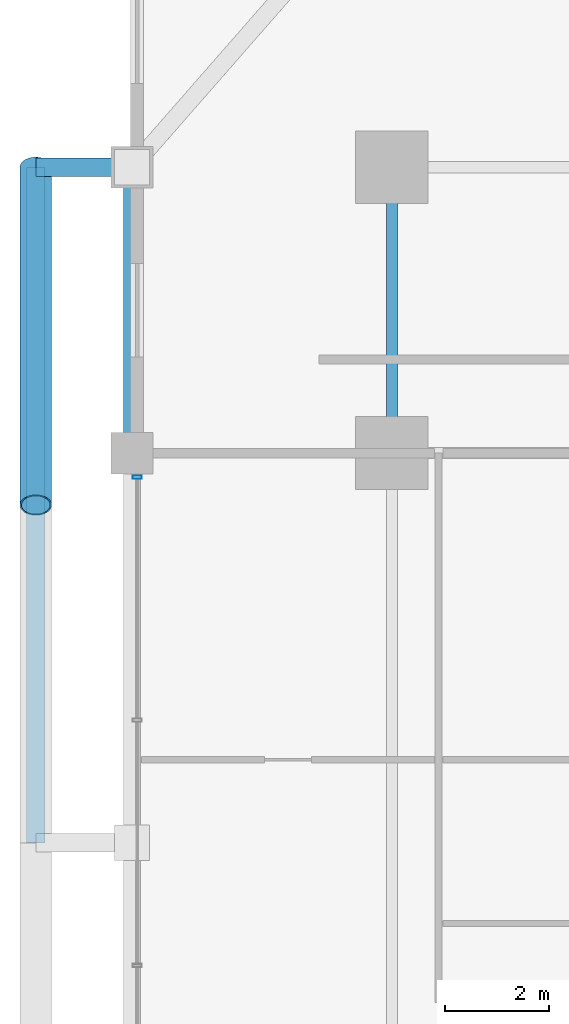
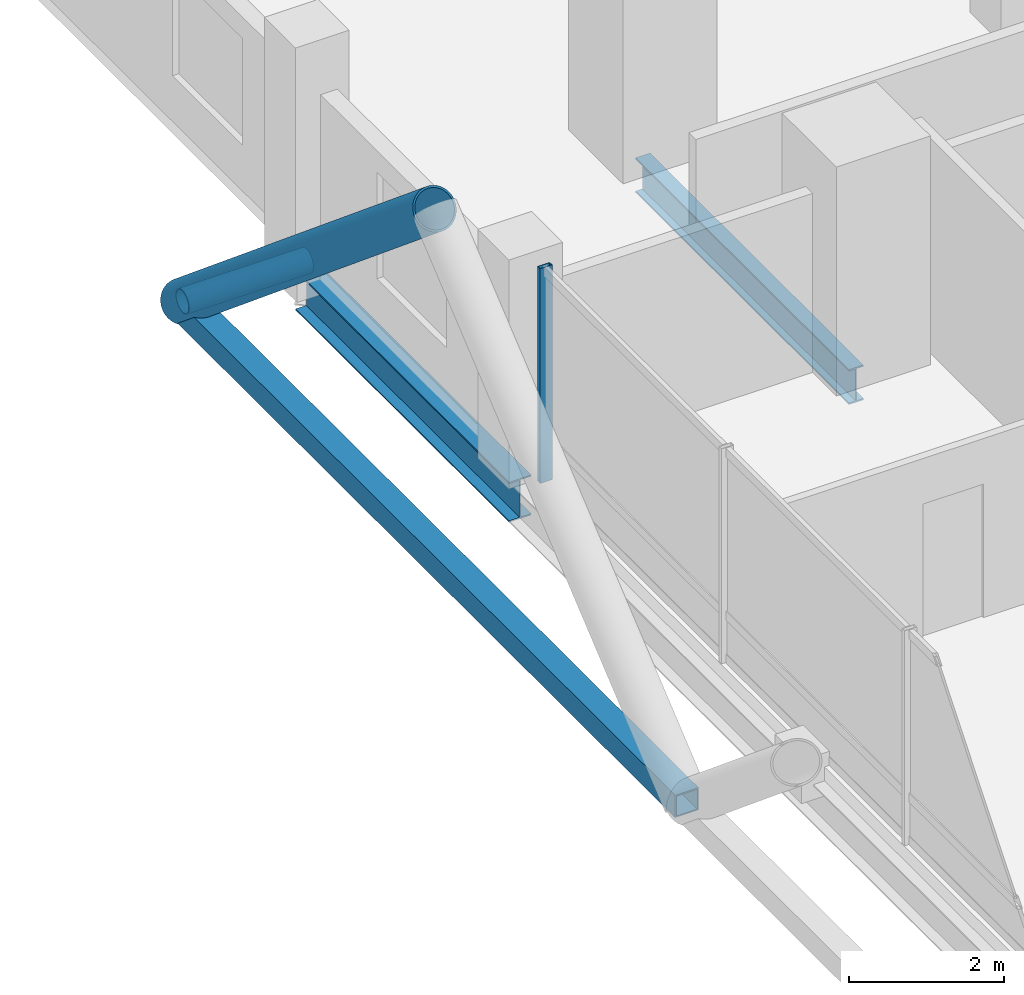
# One storey, part 13 of 27: 4 members, 2 beams, 1 element without a shape of its own.
"""IFC4 building model written with IfcOpenShell, lengths in metres."""

from ifc_helpers import new_model, si_unit, direction, frame, origin, origin_2d, place, context, subcontext, project, spatial, hollow_rectangle, hollow_circle, i_section, extrude, material, layer, layer_set, material_profile, profile_set, type_object, element, aggregate, save


model = new_model("IFC4")

# Units and contexts
model_context = context("Model", 3, precision=1e-05, world=origin(), true_north=direction((0.0, 1.0)))
body_context = subcontext(model_context, "Body", "Model", "MODEL_VIEW")
ifc_project = project(units=[si_unit("LENGTHUNIT", "METRE"), si_unit("AREAUNIT", "SQUARE_METRE"), si_unit("VOLUMEUNIT", "CUBIC_METRE"), si_unit("PLANEANGLEUNIT", "RADIAN"), si_unit("MASSUNIT", "GRAM", prefix="KILO")], contexts=[model_context])

# Site, building, storey
site_placement = place(None, origin())
site = spatial("IfcSite", under=ifc_project, at=site_placement, CompositionType="ELEMENT")
building_placement = place(site_placement, origin())
building = spatial("IfcBuilding", under=site, at=building_placement, Name="Barlavira Tower and Art Museum", CompositionType="ELEMENT")
storey_placement = place(building_placement, frame((0.0, 0.0, 72.0)))
storey = spatial("IfcBuildingStorey", under=building, at=storey_placement, Name="L17", CompositionType="ELEMENT", Elevation=72.0)

# Curtain wall, member
ifc_material_1 = material(Name="Low-iron coastal laminated glass", Category="glass")
ifc_layer = layer(ifc_material_1, 0.179931640625, Name="Low-iron coastal laminated glass")
ifc_layer_set = layer_set([ifc_layer], Name="Low-iron coastal laminated glass")
curtain_wall_type = type_object("IfcCurtainWallType", Name="Pale-Metal Unitised Curtain Wall Zone 1", PredefinedType="NOTDEFINED", material=ifc_layer_set)
curtain_wall_placement = place(storey_placement, origin())
curtain_wall = element("IfcCurtainWall", 1, at=curtain_wall_placement, inside=storey, type_object=curtain_wall_type, Name="L17 Curtain Wall CW1-L17-W-B3", PredefinedType="NOTDEFINED")
ifc_material_2 = material(Name="Pale anodised aluminium", Category="aluminium")
ifc_material_profile_1 = material_profile(ifc_material_2, hollow_rectangle(XDim=0.06494140625, YDim=0.179931640625, WallThickness=0.00390625, at=origin_2d()), Name="ALU-MULL 65x180x4")
ifc_profile_set_1 = profile_set([ifc_material_profile_1], Name="Pale anodised aluminium")
member_type_1 = type_object("IfcMemberType", Name="Curtain Wall Pale-Metal Mullion 65x180", PredefinedType="MULLION", material=ifc_profile_set_1)
member_1_placement = place(storey_placement, frame((-21.89990234375, 7.034912109375, 0.0), z_axis=(0.0, 0.0, 1.0), x_axis=(0.0, -1.0, 0.0)))
member_1 = element("IfcMember", 2, at=member_1_placement, type_object=member_type_1, Name="CW1-L17-W-B3 Mullion 0", PredefinedType="MULLION", context=body_context, shape_type="SweptSolid", body=[
    extrude(hollow_rectangle(XDim=0.06494140625, YDim=0.179931640625, WallThickness=0.00390625, at=origin_2d()), origin(), (0.0, 0.0, 1.0), 3.3798828125),
])
aggregate(curtain_wall, [member_1])

# Members
ifc_material_3 = material(Name="Steel S355", Category="steel")
ifc_material_profile_2 = material_profile(ifc_material_3, hollow_circle(Radius=0.304931640625, WallThickness=0.028076171875, at=origin_2d()), Name="CHS 610.0x28.0")
ifc_profile_set_2 = profile_set([ifc_material_profile_2], Name="Steel S355")
member_type_2 = type_object("IfcMemberType", Name="Pale-Metal Exoskeleton Diagrid Tube CHS 610x28 Steel S355", PredefinedType="BRACE", material=ifc_profile_set_2)
member_2_placement = place(storey_placement, frame((-23.85009765625, 13.0, -0.1201171875), z_axis=(0.0, -0.76918185268, 0.639029950399), x_axis=(1.0, 0.0, 0.0)))
element("IfcMember", 3, at=member_2_placement, inside=storey, type_object=member_type_2, Name="L17 Exoskeleton Diagrid Tube W", PredefinedType="BRACE", context=body_context, shape_type="SweptSolid", body=[
    extrude(hollow_circle(Radius=0.304931640625, WallThickness=0.028076171875, at=origin_2d()), origin(), (0.0, 0.0, 1.0), 8.450439453125),
])
ifc_material_profile_3 = material_profile(ifc_material_3, hollow_rectangle(XDim=0.35009765625, YDim=0.35009765625, WallThickness=0.02001953125, at=origin_2d()), Name="SHS 350x350x20.0")
ifc_profile_set_3 = profile_set([ifc_material_profile_3], Name="Steel S355")
member_type_3 = type_object("IfcMemberType", Name="Pale-Metal Exoskeleton Ring Strut SHS 350x350x20 Steel S355", PredefinedType="STRUT", material=ifc_profile_set_3)
member_3_placement = place(storey_placement, frame((-23.85009765625, 0.0, -0.1201171875), z_axis=(0.0, 1.0, 0.0), x_axis=(-1.0, 0.0, 0.0)))
element("IfcMember", 4, at=member_3_placement, inside=storey, type_object=member_type_3, Name="L17 Exoskeleton Ring Strut W", PredefinedType="STRUT", context=body_context, shape_type="SweptSolid", body=[
    extrude(hollow_rectangle(XDim=0.35009765625, YDim=0.35009765625, WallThickness=0.02001953125, at=origin_2d()), origin(), (0.0, 0.0, 1.0), 13.0),
])
ifc_material_profile_4 = material_profile(ifc_material_3, hollow_circle(Radius=0.177734375, WallThickness=0.01611328125, at=origin_2d()), Name="CHS 355.6x16.0")
ifc_profile_set_4 = profile_set([ifc_material_profile_4], Name="Steel S355")
member_type_4 = type_object("IfcMemberType", Name="Pale-Metal Exoskeleton Tie Strut CHS 356x16 Steel S355", PredefinedType="STRUT", material=ifc_profile_set_4)
member_4_placement = place(storey_placement, frame((-23.85009765625, 13.0, -0.1201171875), z_axis=(1.0, 0.0, 0.0), x_axis=(0.0, 1.0, 0.0)))
element("IfcMember", 5, at=member_4_placement, inside=storey, type_object=member_type_4, Name="L17 Exoskeleton Tie Strut W3", PredefinedType="STRUT", context=body_context, shape_type="SweptSolid", body=[
    extrude(hollow_circle(Radius=0.177734375, WallThickness=0.01611328125, at=origin_2d()), origin(), (0.0, 0.0, 1.0), 1.85009765625),
])

# Beams
ifc_material_profile_5 = material_profile(ifc_material_3, i_section(OverallWidth=0.327880859375, OverallDepth=0.62890625, WebThickness=0.013916015625, FlangeThickness=0.021484375, at=origin_2d()), Name="W610x174.0")
ifc_profile_set_5 = profile_set([ifc_material_profile_5], Name="Steel S355")
beam_type_1 = type_object("IfcBeamType", Name="Perimeter Spandrel Edge Beam W610x174 Steel S355", PredefinedType="SPANDREL", material=ifc_profile_set_5)
beam_1_placement = place(storey_placement, frame((-22.0, 7.5, -0.534423828125), z_axis=(0.0, 1.0, 0.0), x_axis=(-1.0, 0.0, 0.0)))
element("IfcBeam", 6, at=beam_1_placement, inside=storey, type_object=beam_type_1, Name="L17 Spandrel 13", PredefinedType="SPANDREL", context=body_context, shape_type="SweptSolid", body=[
    extrude(i_section(OverallWidth=0.327880859375, OverallDepth=0.62890625, WebThickness=0.013916015625, FlangeThickness=0.021484375, at=origin_2d()), origin(), (0.0, 0.0, 1.0), 5.5),
])
ifc_material_profile_6 = material_profile(ifc_material_3, i_section(OverallWidth=0.214111328125, OverallDepth=0.549072265625, WebThickness=0.0146484375, FlangeThickness=0.023681640625, at=origin_2d()), Name="W530x138.0")
ifc_profile_set_6 = profile_set([ifc_material_profile_6], Name="Steel S355")
beam_type_2 = type_object("IfcBeamType", Name="Zone 1 Primary Floor Girder W530x138 Steel S355", PredefinedType="BEAM", material=ifc_profile_set_6)
beam_2_placement = place(storey_placement, frame((-17.0, 7.5, -0.494384765625), z_axis=(0.0, 1.0, 0.0), x_axis=(-1.0, 0.0, 0.0)))
element("IfcBeam", 7, at=beam_2_placement, inside=storey, type_object=beam_type_2, Name="L17 Girder M-W3", PredefinedType="BEAM", context=body_context, shape_type="SweptSolid", body=[
    extrude(i_section(OverallWidth=0.214111328125, OverallDepth=0.549072265625, WebThickness=0.0146484375, FlangeThickness=0.023681640625, at=origin_2d()), origin(), (0.0, 0.0, 1.0), 5.5),
])

save(model, "model.ifc")
